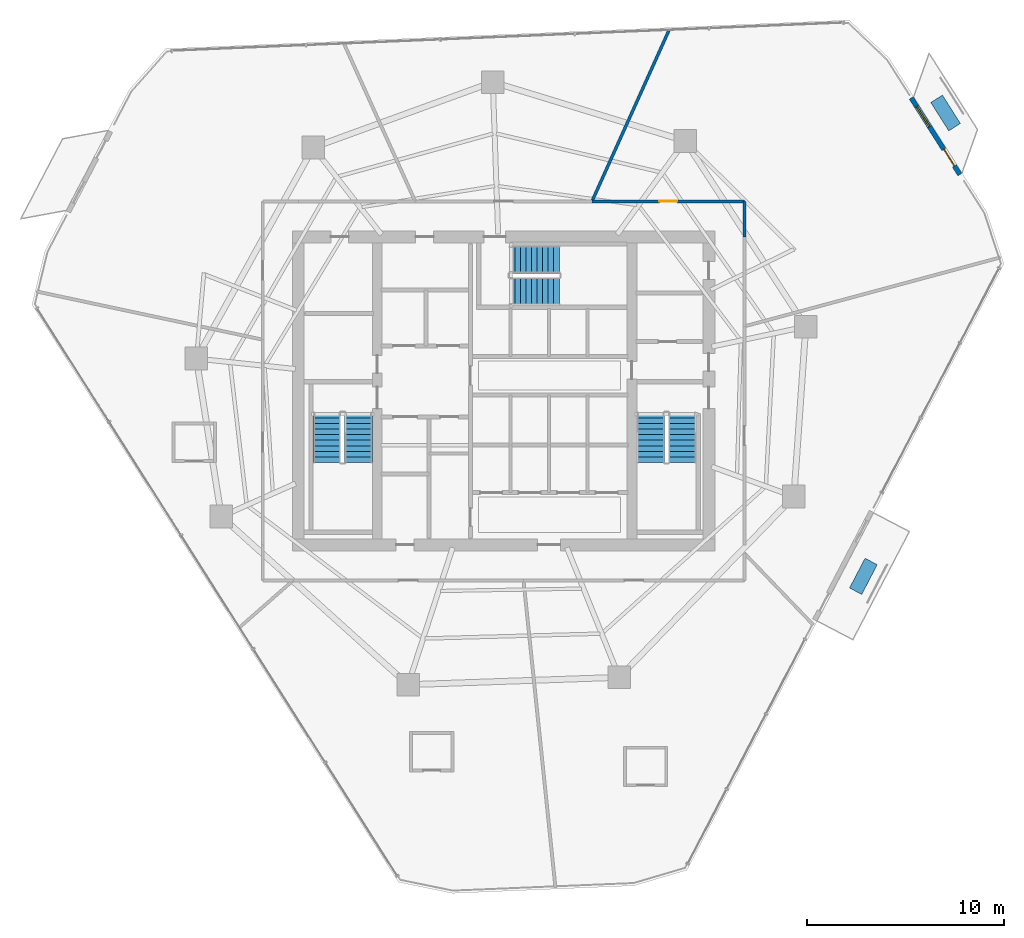
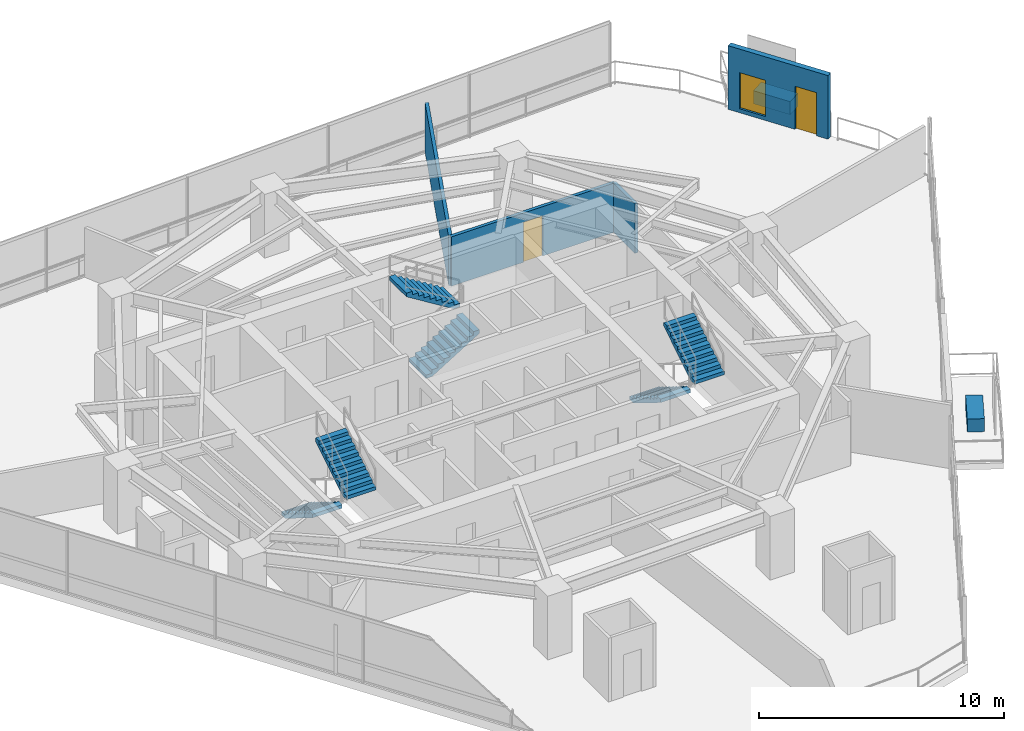
# One storey, part 23 of 25: 6 stair flights, 4 walls, 2 discrete accessories, 2 doors, 1 window, 3 openings, 3 elements without a shape of their own.
"""IFC4 building model written with IfcOpenShell, lengths in metres."""

from ifc_helpers import new_model, si_unit, direction, frame, frame_2d, origin, origin_2d, place, context, subcontext, project, spatial, polyline, rectangle, outline, extrude, material, layer, layer_set, type_object, element, fill, aggregate, save


model = new_model("IFC4")

# Units and contexts
model_context = context("Model", 3, precision=1e-05, world=origin(), true_north=direction((0.0, 1.0)))
body_context = subcontext(model_context, "Body", "Model", "MODEL_VIEW")
ifc_project = project(units=[si_unit("LENGTHUNIT", "METRE"), si_unit("AREAUNIT", "SQUARE_METRE"), si_unit("VOLUMEUNIT", "CUBIC_METRE"), si_unit("PLANEANGLEUNIT", "RADIAN"), si_unit("MASSUNIT", "GRAM", prefix="KILO")], contexts=[model_context])

# Site, building, storey
site_placement = place(None, origin())
site = spatial("IfcSite", under=ifc_project, at=site_placement, CompositionType="ELEMENT")
building_placement = place(site_placement, origin())
building = spatial("IfcBuilding", under=site, at=building_placement, Name="Qarnah Convention Tower", CompositionType="ELEMENT")
storey_placement = place(building_placement, frame((0.0, 0.0, 76.35009765625)))
storey = spatial("IfcBuildingStorey", under=building, at=storey_placement, Name="L19", CompositionType="ELEMENT", Elevation=76.35009765625)

# Wall, openings, door, window
ifc_material_1 = material(Name="Precast concrete C45/55", Category="concrete")
ifc_layer_1 = layer(ifc_material_1, 0.239990234375)
ifc_layer_set_1 = layer_set([ifc_layer_1], Name="Precast concrete C45/55")
wall_type_1 = type_object("IfcWallType", Name="WL-EXT-BAL-240", PredefinedType="SOLIDWALL", material=ifc_layer_set_1)
wall_1_placement = place(storey_placement, frame((57.85009765625, 41.240966796875, 0.0), z_axis=(0.0, 0.0, 1.0), x_axis=(0.535820801743, -0.844331728895, 0.0)))
wall_1 = element("IfcWall", 1, at=wall_1_placement, inside=storey, type_object=wall_type_1, Name="L19 loggia threshold wall BAL-L19-C1", PredefinedType="SOLIDWALL", context=body_context, shape_type="SweptSolid", body=[
    extrude(rectangle(XDim=4.60009765625, YDim=0.239990234375, at=frame_2d((2.300048828125, 0.0))), origin(), (0.0, 0.0, 1.0), 3.169921875),
])
opening_1_placement = place(wall_1_placement, frame((3.080078125, 0.0, 0.0)))
opening_1 = element("IfcOpeningElement", 2, at=opening_1_placement, cuts=wall_1, Name="Opening BD-1901", PredefinedType="OPENING", context=body_context, shape_type="SweptSolid", body=[
    extrude(rectangle(XDim=1.0, YDim=2.14990234375, at=frame_2d((0.5, 1.074951171875))), frame((0.0, 0.1298828125, 0.0), z_axis=(0.0, -1.0, 0.0), x_axis=(1.0, 0.0, 0.0)), (0.0, 0.0, 1.0), 0.260009765625),
])
opening_2_placement = place(wall_1_placement, frame((0.52001953125, 0.0, 0.199951171875)))
opening_2 = element("IfcOpeningElement", 3, at=opening_2_placement, cuts=wall_1, Name="Opening WN5", PredefinedType="OPENING", context=body_context, shape_type="SweptSolid", body=[
    extrude(rectangle(XDim=1.199951171875, YDim=1.800048828125, at=frame_2d((0.60009765625, 0.89990234375))), frame((0.0, 0.1298828125, 0.0), z_axis=(0.0, -1.0, 0.0), x_axis=(1.0, 0.0, 0.0)), (0.0, 0.0, 1.0), 0.260009765625),
])
ifc_material_2 = material(Name="Black anodised aluminium", Category="aluminium")
door_type_1 = type_object("IfcDoorType", Name="DT-BAL-1000", OperationType="NOTDEFINED", PredefinedType="DOOR", material=ifc_material_2)
door_1_placement = place(opening_1_placement, origin())
door_1 = element("IfcDoor", 4, at=door_1_placement, inside=storey, type_object=door_type_1, Name="L19 balcony terrace door BAL-L19-C1", OperationType="SINGLE_SWING_RIGHT", OverallHeight=2.14990234375, OverallWidth=1.0, PredefinedType="DOOR", context=body_context, shape_type="SweptSolid", body=[
    extrude(rectangle(XDim=1.0, YDim=2.14990234375, at=frame_2d((0.5, 1.074951171875))), frame((0.0, 0.02490234375, 0.0), z_axis=(0.0, -1.0, 0.0), x_axis=(1.0, 0.0, 0.0)), (0.0, 0.0, 1.0), 0.050048828125),
])
fill(opening_1, door_1)
ifc_material_3 = material(Name="Tempered Low-E dark glass", Category="glass")
window_type = type_object("IfcWindowType", Name="WT-BAL-1200X1800", PartitioningType="SINGLE_PANEL", PredefinedType="WINDOW", material=ifc_material_3)
window_placement = place(opening_2_placement, origin())
window = element("IfcWindow", 5, at=window_placement, inside=storey, type_object=window_type, Name="Window BW-BAL-L19-C1", OverallHeight=1.800048828125, OverallWidth=1.199951171875, PartitioningType="SINGLE_PANEL", PredefinedType="WINDOW", context=body_context, shape_type="SweptSolid", body=[
    extrude(rectangle(XDim=1.199951171875, YDim=1.800048828125, at=frame_2d((0.60009765625, 0.89990234375))), frame((0.0, 0.030029296875, 0.0), z_axis=(0.0, -1.0, 0.0), x_axis=(1.0, 0.0, 0.0)), (0.0, 0.0, 1.0), 0.06005859375),
])
fill(opening_2, window)

# Wall
ifc_material_4 = material(Name="Gypsum partition board")
ifc_layer_2 = layer(ifc_material_4, 0.14990234375)
ifc_layer_set_2 = layer_set([ifc_layer_2], Name="Gypsum partition board")
wall_type_2 = type_object("IfcWallType", Name="WL-SUITE-150", PredefinedType="PARTITIONING", material=ifc_layer_set_2)
wall_2_placement = place(storey_placement, frame((45.60791015625, 44.735107421875, 0.0), z_axis=(0.0, 0.0, 1.0), x_axis=(-0.410374215248, -0.911917213052, 0.0)))
element("IfcWall", 6, at=wall_2_placement, inside=storey, type_object=wall_type_2, Name="L19 interior wall IW-L19-R-13", PredefinedType="PARTITIONING", context=body_context, shape_type="SweptSolid", body=[
    extrude(rectangle(XDim=9.578857421875, YDim=0.14990234375, at=frame_2d((4.78955078125, 0.0))), origin(), (0.0, 0.0, 1.0), 2.454833984375),
])

# Wall, opening, door
wall_3_placement = place(storey_placement, frame((41.677001953125, 36.0, 0.0), z_axis=(0.0, 0.0, 1.0), x_axis=(1.0, 0.0, 0.0)))
wall_3 = element("IfcWall", 7, at=wall_3_placement, inside=storey, type_object=wall_type_2, Name="L19 interior wall IW-L19-R-14", PredefinedType="PARTITIONING", context=body_context, shape_type="SweptSolid", body=[
    extrude(rectangle(XDim=7.722900390625, YDim=0.14990234375, at=frame_2d((3.861328125, 0.0))), origin(), (0.0, 0.0, 1.0), 2.454833984375),
])
opening_3_placement = place(wall_3_placement, frame((3.410888671875, 0.0, 0.0)))
opening_3 = element("IfcOpeningElement", 8, at=opening_3_placement, cuts=wall_3, Name="Opening D-1916", PredefinedType="OPENING", context=body_context, shape_type="SweptSolid", body=[
    extrude(rectangle(XDim=0.89990234375, YDim=2.0, at=frame_2d((0.449951171875, 1.0))), frame((0.0, 0.0849609375, 0.0), z_axis=(0.0, -1.0, 0.0), x_axis=(1.0, 0.0, 0.0)), (0.0, 0.0, 1.0), 0.169921875),
])
ifc_material_5 = material(Name="Structural steel S355JR", Category="steel")
door_type_2 = type_object("IfcDoorType", Name="DT-PLANT-900", OperationType="NOTDEFINED", PredefinedType="DOOR", material=ifc_material_5)
door_2_placement = place(opening_3_placement, origin())
door_2 = element("IfcDoor", 9, at=door_2_placement, inside=storey, type_object=door_type_2, Name="Door D-1916", OperationType="SINGLE_SWING_RIGHT", OverallHeight=2.0, OverallWidth=0.89990234375, PredefinedType="DOOR", context=body_context, shape_type="SweptSolid", body=[
    extrude(rectangle(XDim=0.89990234375, YDim=2.0, at=frame_2d((0.449951171875, 1.0))), frame((0.0, 0.02490234375, 0.0), z_axis=(0.0, -1.0, 0.0), x_axis=(1.0, 0.0, 0.0)), (0.0, 0.0, 1.0), 0.050048828125),
])
fill(opening_3, door_2)

# Wall
wall_4_placement = place(storey_placement, frame((49.39990234375, 36.0, 0.0), z_axis=(0.0, 0.0, 1.0), x_axis=(0.0, -1.0, 0.0)))
element("IfcWall", 10, at=wall_4_placement, inside=storey, type_object=wall_type_2, Name="L19 interior wall IW-L19-R-15", PredefinedType="PARTITIONING", context=body_context, shape_type="SweptSolid", body=[
    extrude(rectangle(XDim=1.800048828125, YDim=0.14990234375, at=frame_2d((0.89990234375, 0.0))), origin(), (0.0, 0.0, 1.0), 2.454833984375),
])

# Stair, stair flights
ifc_material_6 = material(Name="Concrete C50/60", Category="concrete")
stair_type = type_object("IfcStairType", Name="STR-HTL", PredefinedType="HALF_TURN_STAIR", material=ifc_material_6)
stair_1_placement = place(storey_placement, origin())
stair_1 = element("IfcStair", 11, at=stair_1_placement, inside=storey, type_object=stair_type, Name="L19 Core exit stair ST-1", PredefinedType="HALF_TURN_STAIR")
stair_flight_type = type_object("IfcStairFlightType", Name="FLT-HTL", PredefinedType="STRAIGHT", material=ifc_material_6)
stair_flight_1_placement = place(storey_placement, frame((28.25, 25.300048828125, 0.0), z_axis=(0.0, 0.0, 1.0), x_axis=(0.0, -1.0, 0.0)))
stair_flight_1 = element("IfcStairFlight", 12, at=stair_flight_1_placement, type_object=stair_flight_type, Name="ST-1 flight 1", NumberOfRisers=10, NumberOfTreads=9, PredefinedType="STRAIGHT", RiserHeight=0.1725, TreadLength=0.28, context=body_context, shape_type="SweptSolid", body=[
    extrude(outline(polyline([(0.0, 0.0), (0.0, 0.172607421875), (0.280029296875, 0.172607421875), (0.280029296875, 0.344970703125), (0.56005859375, 0.344970703125), (0.56005859375, 0.517578125), (0.840087890625, 0.517578125), (0.840087890625, 0.68994140625), (1.1201171875, 0.68994140625), (1.1201171875, 0.862548828125), (1.39990234375, 0.862548828125), (1.39990234375, 1.034912109375), (1.679931640625, 1.034912109375), (1.679931640625, 1.20751953125), (1.9599609375, 1.20751953125), (1.9599609375, 1.3798828125), (2.239990234375, 1.3798828125), (2.239990234375, 1.552490234375), (2.52001953125, 1.552490234375), (2.52001953125, 1.72509765625), (2.52001953125, 1.37646484375), (0.285888671875, 0.0), (0.0, 0.0)])), frame((0.0, 0.699951171875, 0.0), z_axis=(0.0, -1.0, 0.0), x_axis=(1.0, 0.0, 0.0)), (0.0, 0.0, 1.0), 1.39990234375),
])
stair_flight_2_placement = place(storey_placement, frame((29.85009765625, 22.780029296875, 1.724853515625), z_axis=(0.0, 0.0, 1.0), x_axis=(0.0, 1.0, 0.0)))
stair_flight_2 = element("IfcStairFlight", 13, at=stair_flight_2_placement, type_object=stair_flight_type, Name="ST-1 flight 2", NumberOfRisers=10, NumberOfTreads=9, PredefinedType="STRAIGHT", RiserHeight=0.1725, TreadLength=0.28, context=body_context, shape_type="SweptSolid", body=[
    extrude(outline(polyline([(0.0, 0.0), (0.0, 0.172607421875), (0.280029296875, 0.172607421875), (0.280029296875, 0.344970703125), (0.56005859375, 0.344970703125), (0.56005859375, 0.517578125), (0.840087890625, 0.517578125), (0.840087890625, 0.68994140625), (1.1201171875, 0.68994140625), (1.1201171875, 0.862548828125), (1.39990234375, 0.862548828125), (1.39990234375, 1.034912109375), (1.679931640625, 1.034912109375), (1.679931640625, 1.20751953125), (1.9599609375, 1.20751953125), (1.9599609375, 1.3798828125), (2.239990234375, 1.3798828125), (2.239990234375, 1.552490234375), (2.52001953125, 1.552490234375), (2.52001953125, 1.72509765625), (2.52001953125, 1.37646484375), (0.285888671875, 0.0), (0.0, 0.0)])), frame((0.0, 0.699951171875, 0.0), z_axis=(0.0, -1.0, 0.0), x_axis=(1.0, 0.0, 0.0)), (0.0, 0.0, 1.0), 1.39990234375),
])
aggregate(stair_1, [stair_flight_1, stair_flight_2])

stair_2_placement = place(storey_placement, origin())
stair_2 = element("IfcStair", 14, at=stair_2_placement, inside=storey, type_object=stair_type, Name="L19 Core exit stair ST-2", PredefinedType="HALF_TURN_STAIR")
stair_flight_3_placement = place(storey_placement, frame((44.64990234375, 25.300048828125, 0.0), z_axis=(0.0, 0.0, 1.0), x_axis=(0.0, -1.0, 0.0)))
stair_flight_3 = element("IfcStairFlight", 15, at=stair_flight_3_placement, type_object=stair_flight_type, Name="ST-2 flight 1", NumberOfRisers=10, NumberOfTreads=9, PredefinedType="STRAIGHT", RiserHeight=0.1725, TreadLength=0.28, context=body_context, shape_type="SweptSolid", body=[
    extrude(outline(polyline([(0.0, 0.0), (0.0, 0.172607421875), (0.280029296875, 0.172607421875), (0.280029296875, 0.344970703125), (0.56005859375, 0.344970703125), (0.56005859375, 0.517578125), (0.840087890625, 0.517578125), (0.840087890625, 0.68994140625), (1.1201171875, 0.68994140625), (1.1201171875, 0.862548828125), (1.39990234375, 0.862548828125), (1.39990234375, 1.034912109375), (1.679931640625, 1.034912109375), (1.679931640625, 1.20751953125), (1.9599609375, 1.20751953125), (1.9599609375, 1.3798828125), (2.239990234375, 1.3798828125), (2.239990234375, 1.552490234375), (2.52001953125, 1.552490234375), (2.52001953125, 1.72509765625), (2.52001953125, 1.37646484375), (0.285888671875, 0.0), (0.0, 0.0)])), frame((0.0, 0.699951171875, 0.0), z_axis=(0.0, -1.0, 0.0), x_axis=(1.0, 0.0, 0.0)), (0.0, 0.0, 1.0), 1.39990234375),
])
stair_flight_4_placement = place(storey_placement, frame((46.25, 22.780029296875, 1.724853515625), z_axis=(0.0, 0.0, 1.0), x_axis=(0.0, 1.0, 0.0)))
stair_flight_4 = element("IfcStairFlight", 16, at=stair_flight_4_placement, type_object=stair_flight_type, Name="ST-2 flight 2", NumberOfRisers=10, NumberOfTreads=9, PredefinedType="STRAIGHT", RiserHeight=0.1725, TreadLength=0.28, context=body_context, shape_type="SweptSolid", body=[
    extrude(outline(polyline([(0.0, 0.0), (0.0, 0.172607421875), (0.280029296875, 0.172607421875), (0.280029296875, 0.344970703125), (0.56005859375, 0.344970703125), (0.56005859375, 0.517578125), (0.840087890625, 0.517578125), (0.840087890625, 0.68994140625), (1.1201171875, 0.68994140625), (1.1201171875, 0.862548828125), (1.39990234375, 0.862548828125), (1.39990234375, 1.034912109375), (1.679931640625, 1.034912109375), (1.679931640625, 1.20751953125), (1.9599609375, 1.20751953125), (1.9599609375, 1.3798828125), (2.239990234375, 1.3798828125), (2.239990234375, 1.552490234375), (2.52001953125, 1.552490234375), (2.52001953125, 1.72509765625), (2.52001953125, 1.37646484375), (0.285888671875, 0.0), (0.0, 0.0)])), frame((0.0, 0.699951171875, 0.0), z_axis=(0.0, -1.0, 0.0), x_axis=(1.0, 0.0, 0.0)), (0.0, 0.0, 1.0), 1.39990234375),
])
aggregate(stair_2, [stair_flight_3, stair_flight_4])

stair_3_placement = place(storey_placement, origin())
stair_3 = element("IfcStair", 17, at=stair_3_placement, inside=storey, type_object=stair_type, Name="L19 Core exit stair ST-3", PredefinedType="HALF_TURN_STAIR")
stair_flight_5_placement = place(storey_placement, frame((37.5, 31.449951171875, 0.0), z_axis=(0.0, 0.0, 1.0), x_axis=(1.0, 0.0, 0.0)))
stair_flight_5 = element("IfcStairFlight", 18, at=stair_flight_5_placement, type_object=stair_flight_type, Name="ST-3 flight 1", NumberOfRisers=10, NumberOfTreads=9, PredefinedType="STRAIGHT", RiserHeight=0.1725, TreadLength=0.28, context=body_context, shape_type="SweptSolid", body=[
    extrude(outline(polyline([(0.0, 0.0), (0.0, 0.172607421875), (0.280029296875, 0.172607421875), (0.280029296875, 0.344970703125), (0.56005859375, 0.344970703125), (0.56005859375, 0.517578125), (0.840087890625, 0.517578125), (0.840087890625, 0.68994140625), (1.1201171875, 0.68994140625), (1.1201171875, 0.862548828125), (1.39990234375, 0.862548828125), (1.39990234375, 1.034912109375), (1.679931640625, 1.034912109375), (1.679931640625, 1.20751953125), (1.9599609375, 1.20751953125), (1.9599609375, 1.3798828125), (2.239990234375, 1.3798828125), (2.239990234375, 1.552490234375), (2.52001953125, 1.552490234375), (2.52001953125, 1.72509765625), (2.52001953125, 1.37646484375), (0.285888671875, 0.0), (0.0, 0.0)])), frame((0.0, 0.699951171875, 0.0), z_axis=(0.0, -1.0, 0.0), x_axis=(1.0, 0.0, 0.0)), (0.0, 0.0, 1.0), 1.39990234375),
])
stair_flight_6_placement = place(storey_placement, frame((40.02001953125, 33.050048828125, 1.724853515625), z_axis=(0.0, 0.0, 1.0), x_axis=(-1.0, 0.0, 0.0)))
stair_flight_6 = element("IfcStairFlight", 19, at=stair_flight_6_placement, type_object=stair_flight_type, Name="ST-3 flight 2", NumberOfRisers=10, NumberOfTreads=9, PredefinedType="STRAIGHT", RiserHeight=0.1725, TreadLength=0.28, context=body_context, shape_type="SweptSolid", body=[
    extrude(outline(polyline([(0.0, 0.0), (0.0, 0.172607421875), (0.280029296875, 0.172607421875), (0.280029296875, 0.344970703125), (0.56005859375, 0.344970703125), (0.56005859375, 0.517578125), (0.840087890625, 0.517578125), (0.840087890625, 0.68994140625), (1.1201171875, 0.68994140625), (1.1201171875, 0.862548828125), (1.39990234375, 0.862548828125), (1.39990234375, 1.034912109375), (1.679931640625, 1.034912109375), (1.679931640625, 1.20751953125), (1.9599609375, 1.20751953125), (1.9599609375, 1.3798828125), (2.239990234375, 1.3798828125), (2.239990234375, 1.552490234375), (2.52001953125, 1.552490234375), (2.52001953125, 1.72509765625), (2.52001953125, 1.37646484375), (0.285888671875, 0.0), (0.0, 0.0)])), frame((0.0, 0.699951171875, 0.0), z_axis=(0.0, -1.0, 0.0), x_axis=(1.0, 0.0, 0.0)), (0.0, 0.0, 1.0), 1.39990234375),
])
aggregate(stair_3, [stair_flight_5, stair_flight_6])

# Discrete accessories
discrete_accessory_type = type_object("IfcDiscreteAccessoryType", Name="ACC-PLANTER-900", PredefinedType="USERDEFINED", material=ifc_material_1)
for number, where, z_axis, x_axis, name in (
    (20, (59.590087890625, 40.47705078125, 0.0), (0.0, 0.0, 1.0), (-0.53597414984, 0.844234393225, 0.0), "L19 irrigated desert balcony PLANTER BAL-L19-C1"),
    (21, (55.426025390625, 17.006103515625, 0.0), (0.0, 0.0, 1.0), (0.463141356361, 0.886284426145, 0.0), "L19 irrigated desert balcony PLANTER SG-L19"),
):
    element("IfcDiscreteAccessory", number, at=place(storey_placement, frame(where, z_axis=z_axis, x_axis=x_axis)), inside=storey, type_object=discrete_accessory_type, Name=name, ObjectType="PLANTER", PredefinedType="USERDEFINED", context=body_context, shape_type="SweptSolid", body=[
        extrude(rectangle(XDim=1.699951171875, YDim=0.699951171875, at=origin_2d()), origin(), (0.0, 0.0, 1.0), 0.64990234375),
    ])

save(model, "model.ifc")
